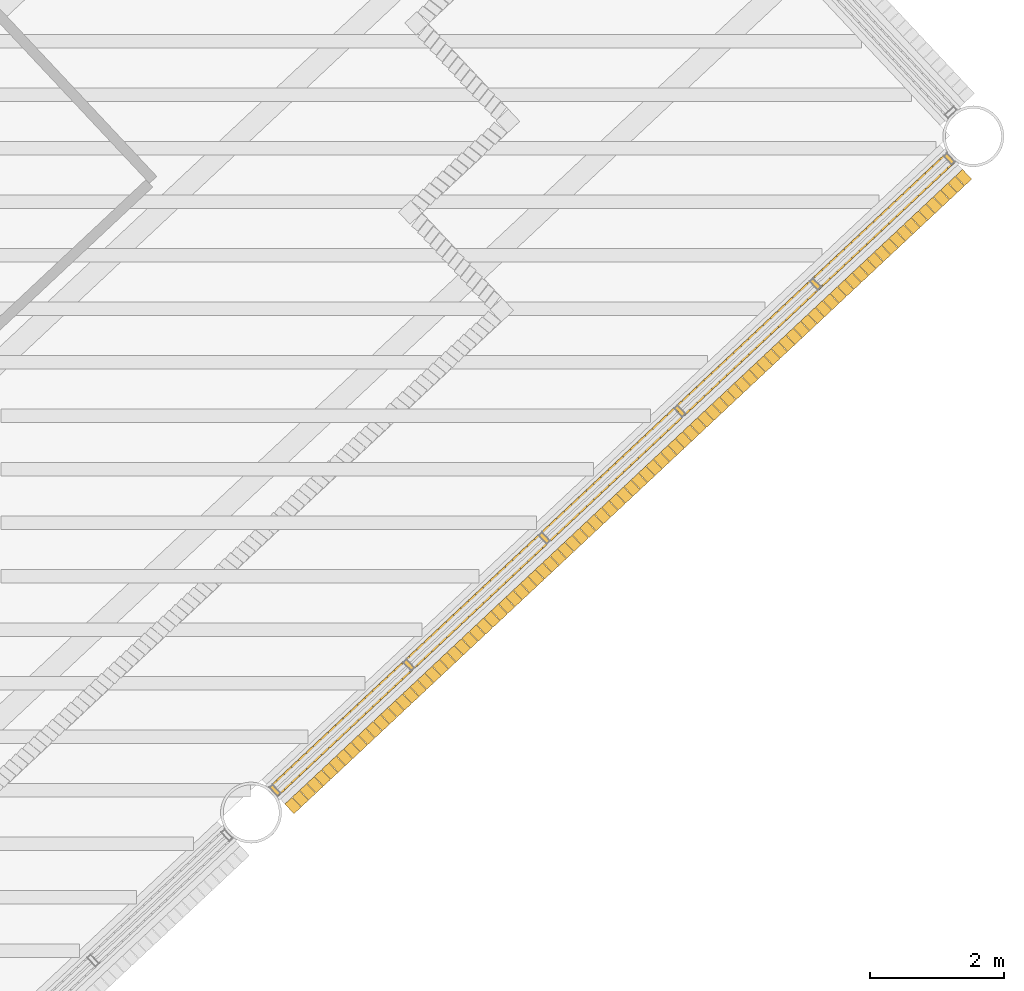
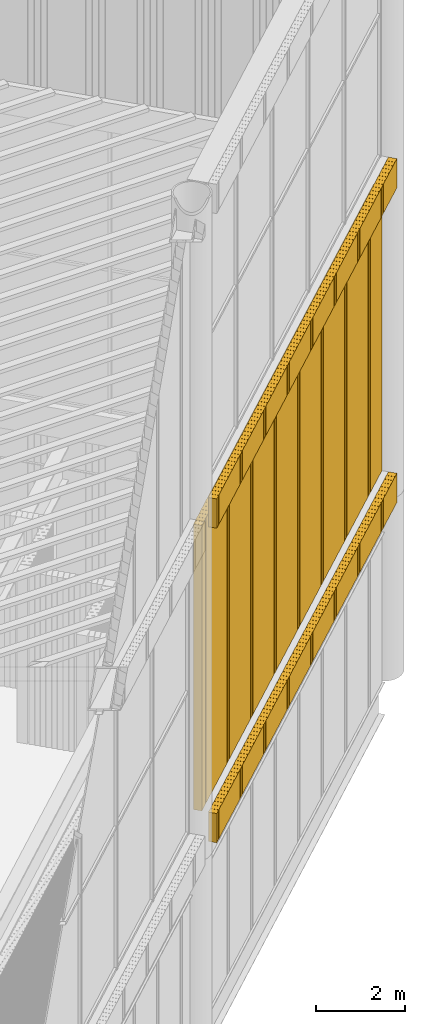
# One storey, part 109 of 117: 3 coverings.
"""IFC4 building model written with IfcOpenShell, lengths in metres."""

from ifc_helpers import new_model, si_unit, direction, frame, frame_2d, origin, place, context, subcontext, project, spatial, rectangle, composite_profile, extrude, material, type_object, element, save


model = new_model("IFC4")

# Units and contexts
model_context = context("Model", 3, precision=1e-05, world=origin(), true_north=direction((0.0, 1.0)))
body_context = subcontext(model_context, "Body", "Model", "MODEL_VIEW")
ifc_project = project(units=[si_unit("LENGTHUNIT", "METRE"), si_unit("AREAUNIT", "SQUARE_METRE"), si_unit("VOLUMEUNIT", "CUBIC_METRE"), si_unit("PLANEANGLEUNIT", "RADIAN"), si_unit("MASSUNIT", "GRAM", prefix="KILO")], contexts=[model_context])

# Site, building, storey
site_placement = place(None, origin())
site = spatial("IfcSite", under=ifc_project, at=site_placement, CompositionType="ELEMENT")
building_placement = place(site_placement, origin())
building = spatial("IfcBuilding", under=site, at=building_placement, Name="Tarsis Ring Headquarters", CompositionType="ELEMENT")
storey_placement = place(building_placement, frame((0.0, 0.0, 403.60009765625)))
storey = spatial("IfcBuildingStorey", under=building, at=storey_placement, Name="L95", CompositionType="ELEMENT", Elevation=403.60009765625)

# Coverings
ifc_material = material(Name="Terracotta louvre", Category="masonry")
covering_type = type_object("IfcCoveringType", Name="Crown louvre fin", PredefinedType="CLADDING", material=ifc_material)
covering_1_placement = place(storey_placement, frame((24.359619140625, -25.344482421875, 5.0), z_axis=(0.0, 0.0, 1.0), x_axis=(0.729925980625, 0.683527612216, 0.0)))
element("IfcCovering", 1, at=covering_1_placement, inside=storey, type_object=covering_type, Name="Crown louvre fascia R4", PredefinedType="CLADDING", context=body_context, shape_type="SweptSolid", body=[
    extrude(composite_profile([rectangle(XDim=0.14501953125, YDim=0.199951171875, at=frame_2d((0.072509765625, 0.0))), rectangle(XDim=0.14501953125, YDim=0.199951171875, at=frame_2d((0.223388671875, 0.0))), rectangle(XDim=0.14501953125, YDim=0.199951171875, at=frame_2d((0.37451171875, 0.0))), rectangle(XDim=0.14501953125, YDim=0.199951171875, at=frame_2d((0.525390625, 0.0))), rectangle(XDim=0.14501953125, YDim=0.199951171875, at=frame_2d((0.676513671875, 0.0))), rectangle(XDim=0.14501953125, YDim=0.199951171875, at=frame_2d((0.827392578125, 0.0))), rectangle(XDim=0.14501953125, YDim=0.199951171875, at=frame_2d((0.978515625, 0.0))), rectangle(XDim=0.14501953125, YDim=0.199951171875, at=frame_2d((1.12939453125, 0.0))), rectangle(XDim=0.14501953125, YDim=0.199951171875, at=frame_2d((1.280517578125, 0.0))), rectangle(XDim=0.14501953125, YDim=0.199951171875, at=frame_2d((1.431396484375, 0.0))), rectangle(XDim=0.14501953125, YDim=0.199951171875, at=frame_2d((1.58251953125, 0.0))), rectangle(XDim=0.14501953125, YDim=0.199951171875, at=frame_2d((1.7333984375, 0.0))), rectangle(XDim=0.14501953125, YDim=0.199951171875, at=frame_2d((1.884521484375, 0.0))), rectangle(XDim=0.14501953125, YDim=0.199951171875, at=frame_2d((2.035400390625, 0.0))), rectangle(XDim=0.14501953125, YDim=0.199951171875, at=frame_2d((2.1865234375, 0.0))), rectangle(XDim=0.14501953125, YDim=0.199951171875, at=frame_2d((2.33740234375, 0.0))), rectangle(XDim=0.14501953125, YDim=0.199951171875, at=frame_2d((2.488525390625, 0.0))), rectangle(XDim=0.14501953125, YDim=0.199951171875, at=frame_2d((2.639404296875, 0.0))), rectangle(XDim=0.14501953125, YDim=0.199951171875, at=frame_2d((2.79052734375, 0.0))), rectangle(XDim=0.14501953125, YDim=0.199951171875, at=frame_2d((2.94140625, 0.0))), rectangle(XDim=0.14501953125, YDim=0.199951171875, at=frame_2d((3.092529296875, 0.0))), rectangle(XDim=0.14501953125, YDim=0.199951171875, at=frame_2d((3.243408203125, 0.0))), rectangle(XDim=0.14501953125, YDim=0.199951171875, at=frame_2d((3.39453125, 0.0))), rectangle(XDim=0.14501953125, YDim=0.199951171875, at=frame_2d((3.54541015625, 0.0))), rectangle(XDim=0.14501953125, YDim=0.199951171875, at=frame_2d((3.696533203125, 0.0))), rectangle(XDim=0.14501953125, YDim=0.199951171875, at=frame_2d((3.847412109375, 0.0))), rectangle(XDim=0.14501953125, YDim=0.199951171875, at=frame_2d((3.99853515625, 0.0))), rectangle(XDim=0.14501953125, YDim=0.199951171875, at=frame_2d((4.1494140625, 0.0))), rectangle(XDim=0.14501953125, YDim=0.199951171875, at=frame_2d((4.300537109375, 0.0))), rectangle(XDim=0.14501953125, YDim=0.199951171875, at=frame_2d((4.451416015625, 0.0))), rectangle(XDim=0.14501953125, YDim=0.199951171875, at=frame_2d((4.6025390625, 0.0))), rectangle(XDim=0.14501953125, YDim=0.199951171875, at=frame_2d((4.75341796875, 0.0))), rectangle(XDim=0.14501953125, YDim=0.199951171875, at=frame_2d((4.904541015625, 0.0))), rectangle(XDim=0.14501953125, YDim=0.199951171875, at=frame_2d((5.055419921875, 0.0))), rectangle(XDim=0.14501953125, YDim=0.199951171875, at=frame_2d((5.20654296875, 0.0))), rectangle(XDim=0.14501953125, YDim=0.199951171875, at=frame_2d((5.357421875, 0.0))), rectangle(XDim=0.14501953125, YDim=0.199951171875, at=frame_2d((5.508544921875, 0.0))), rectangle(XDim=0.14501953125, YDim=0.199951171875, at=frame_2d((5.659423828125, 0.0))), rectangle(XDim=0.14501953125, YDim=0.199951171875, at=frame_2d((5.810546875, 0.0))), rectangle(XDim=0.14501953125, YDim=0.199951171875, at=frame_2d((5.96142578125, 0.0))), rectangle(XDim=0.14501953125, YDim=0.199951171875, at=frame_2d((6.112548828125, 0.0))), rectangle(XDim=0.14501953125, YDim=0.199951171875, at=frame_2d((6.263427734375, 0.0))), rectangle(XDim=0.14501953125, YDim=0.199951171875, at=frame_2d((6.41455078125, 0.0))), rectangle(XDim=0.14501953125, YDim=0.199951171875, at=frame_2d((6.5654296875, 0.0))), rectangle(XDim=0.14501953125, YDim=0.199951171875, at=frame_2d((6.716552734375, 0.0))), rectangle(XDim=0.14501953125, YDim=0.199951171875, at=frame_2d((6.867431640625, 0.0))), rectangle(XDim=0.14501953125, YDim=0.199951171875, at=frame_2d((7.0185546875, 0.0))), rectangle(XDim=0.14501953125, YDim=0.199951171875, at=frame_2d((7.16943359375, 0.0))), rectangle(XDim=0.14501953125, YDim=0.199951171875, at=frame_2d((7.320556640625, 0.0))), rectangle(XDim=0.14501953125, YDim=0.199951171875, at=frame_2d((7.471435546875, 0.0))), rectangle(XDim=0.14501953125, YDim=0.199951171875, at=frame_2d((7.62255859375, 0.0))), rectangle(XDim=0.14501953125, YDim=0.199951171875, at=frame_2d((7.7734375, 0.0))), rectangle(XDim=0.14501953125, YDim=0.199951171875, at=frame_2d((7.924560546875, 0.0))), rectangle(XDim=0.14501953125, YDim=0.199951171875, at=frame_2d((8.075439453125, 0.0))), rectangle(XDim=0.14501953125, YDim=0.199951171875, at=frame_2d((8.2265625, 0.0))), rectangle(XDim=0.14501953125, YDim=0.199951171875, at=frame_2d((8.37744140625, 0.0))), rectangle(XDim=0.14501953125, YDim=0.199951171875, at=frame_2d((8.528564453125, 0.0))), rectangle(XDim=0.14501953125, YDim=0.199951171875, at=frame_2d((8.679443359375, 0.0))), rectangle(XDim=0.14501953125, YDim=0.199951171875, at=frame_2d((8.83056640625, 0.0))), rectangle(XDim=0.14501953125, YDim=0.199951171875, at=frame_2d((8.9814453125, 0.0))), rectangle(XDim=0.14501953125, YDim=0.199951171875, at=frame_2d((9.132568359375, 0.0))), rectangle(XDim=0.14501953125, YDim=0.199951171875, at=frame_2d((9.283447265625, 0.0))), rectangle(XDim=0.14501953125, YDim=0.199951171875, at=frame_2d((9.4345703125, 0.0))), rectangle(XDim=0.14501953125, YDim=0.199951171875, at=frame_2d((9.58544921875, 0.0))), rectangle(XDim=0.14501953125, YDim=0.199951171875, at=frame_2d((9.736572265625, 0.0))), rectangle(XDim=0.14501953125, YDim=0.199951171875, at=frame_2d((9.887451171875, 0.0))), rectangle(XDim=0.14501953125, YDim=0.199951171875, at=frame_2d((10.03857421875, 0.0))), rectangle(XDim=0.14501953125, YDim=0.199951171875, at=frame_2d((10.189453125, 0.0))), rectangle(XDim=0.14501953125, YDim=0.199951171875, at=frame_2d((10.340576171875, 0.0))), rectangle(XDim=0.14501953125, YDim=0.199951171875, at=frame_2d((10.491455078125, 0.0))), rectangle(XDim=0.14501953125, YDim=0.199951171875, at=frame_2d((10.642578125, 0.0))), rectangle(XDim=0.14501953125, YDim=0.199951171875, at=frame_2d((10.79345703125, 0.0))), rectangle(XDim=0.14501953125, YDim=0.199951171875, at=frame_2d((10.944580078125, 0.0))), rectangle(XDim=0.14501953125, YDim=0.199951171875, at=frame_2d((11.095458984375, 0.0))), rectangle(XDim=0.14501953125, YDim=0.199951171875, at=frame_2d((11.24658203125, 0.0))), rectangle(XDim=0.14501953125, YDim=0.199951171875, at=frame_2d((11.3974609375, 0.0))), rectangle(XDim=0.14501953125, YDim=0.199951171875, at=frame_2d((11.548583984375, 0.0))), rectangle(XDim=0.14501953125, YDim=0.199951171875, at=frame_2d((11.699462890625, 0.0))), rectangle(XDim=0.14501953125, YDim=0.199951171875, at=frame_2d((11.8505859375, 0.0))), rectangle(XDim=0.14501953125, YDim=0.199951171875, at=frame_2d((12.00146484375, 0.0))), rectangle(XDim=0.14501953125, YDim=0.199951171875, at=frame_2d((12.152587890625, 0.0))), rectangle(XDim=0.14501953125, YDim=0.199951171875, at=frame_2d((12.303466796875, 0.0))), rectangle(XDim=0.14501953125, YDim=0.199951171875, at=frame_2d((12.45458984375, 0.0))), rectangle(XDim=0.14501953125, YDim=0.199951171875, at=frame_2d((12.60546875, 0.0))), rectangle(XDim=0.14501953125, YDim=0.199951171875, at=frame_2d((12.756591796875, 0.0))), rectangle(XDim=0.14501953125, YDim=0.199951171875, at=frame_2d((12.907470703125, 0.0))), rectangle(XDim=0.14501953125, YDim=0.199951171875, at=frame_2d((13.05859375, 0.0))), rectangle(XDim=0.14501953125, YDim=0.199951171875, at=frame_2d((13.20947265625, 0.0))), rectangle(XDim=0.14501953125, YDim=0.199951171875, at=frame_2d((13.360595703125, 0.0))), rectangle(XDim=0.14501953125, YDim=0.199951171875, at=frame_2d((13.511474609375, 0.0))), rectangle(XDim=0.14501953125, YDim=0.199951171875, at=frame_2d((13.66259765625, 0.0))), rectangle(XDim=0.14501953125, YDim=0.199951171875, at=frame_2d((13.8134765625, 0.0)))]), origin(), (0.0, 0.0, 1.0), 0.7998046875),
])
covering_2_placement = place(storey_placement, frame((24.359619140625, -25.344482421875, 13.599853515625), z_axis=(0.0, 0.0, 1.0), x_axis=(0.729925980625, 0.683527612216, 0.0)))
element("IfcCovering", 2, at=covering_2_placement, inside=storey, type_object=covering_type, Name="Crown louvre fascia M4", PredefinedType="CLADDING", context=body_context, shape_type="SweptSolid", body=[
    extrude(composite_profile([rectangle(XDim=0.14501953125, YDim=0.199951171875, at=frame_2d((0.072509765625, 0.0))), rectangle(XDim=0.14501953125, YDim=0.199951171875, at=frame_2d((0.223388671875, 0.0))), rectangle(XDim=0.14501953125, YDim=0.199951171875, at=frame_2d((0.37451171875, 0.0))), rectangle(XDim=0.14501953125, YDim=0.199951171875, at=frame_2d((0.525390625, 0.0))), rectangle(XDim=0.14501953125, YDim=0.199951171875, at=frame_2d((0.676513671875, 0.0))), rectangle(XDim=0.14501953125, YDim=0.199951171875, at=frame_2d((0.827392578125, 0.0))), rectangle(XDim=0.14501953125, YDim=0.199951171875, at=frame_2d((0.978515625, 0.0))), rectangle(XDim=0.14501953125, YDim=0.199951171875, at=frame_2d((1.12939453125, 0.0))), rectangle(XDim=0.14501953125, YDim=0.199951171875, at=frame_2d((1.280517578125, 0.0))), rectangle(XDim=0.14501953125, YDim=0.199951171875, at=frame_2d((1.431396484375, 0.0))), rectangle(XDim=0.14501953125, YDim=0.199951171875, at=frame_2d((1.58251953125, 0.0))), rectangle(XDim=0.14501953125, YDim=0.199951171875, at=frame_2d((1.7333984375, 0.0))), rectangle(XDim=0.14501953125, YDim=0.199951171875, at=frame_2d((1.884521484375, 0.0))), rectangle(XDim=0.14501953125, YDim=0.199951171875, at=frame_2d((2.035400390625, 0.0))), rectangle(XDim=0.14501953125, YDim=0.199951171875, at=frame_2d((2.1865234375, 0.0))), rectangle(XDim=0.14501953125, YDim=0.199951171875, at=frame_2d((2.33740234375, 0.0))), rectangle(XDim=0.14501953125, YDim=0.199951171875, at=frame_2d((2.488525390625, 0.0))), rectangle(XDim=0.14501953125, YDim=0.199951171875, at=frame_2d((2.639404296875, 0.0))), rectangle(XDim=0.14501953125, YDim=0.199951171875, at=frame_2d((2.79052734375, 0.0))), rectangle(XDim=0.14501953125, YDim=0.199951171875, at=frame_2d((2.94140625, 0.0))), rectangle(XDim=0.14501953125, YDim=0.199951171875, at=frame_2d((3.092529296875, 0.0))), rectangle(XDim=0.14501953125, YDim=0.199951171875, at=frame_2d((3.243408203125, 0.0))), rectangle(XDim=0.14501953125, YDim=0.199951171875, at=frame_2d((3.39453125, 0.0))), rectangle(XDim=0.14501953125, YDim=0.199951171875, at=frame_2d((3.54541015625, 0.0))), rectangle(XDim=0.14501953125, YDim=0.199951171875, at=frame_2d((3.696533203125, 0.0))), rectangle(XDim=0.14501953125, YDim=0.199951171875, at=frame_2d((3.847412109375, 0.0))), rectangle(XDim=0.14501953125, YDim=0.199951171875, at=frame_2d((3.99853515625, 0.0))), rectangle(XDim=0.14501953125, YDim=0.199951171875, at=frame_2d((4.1494140625, 0.0))), rectangle(XDim=0.14501953125, YDim=0.199951171875, at=frame_2d((4.300537109375, 0.0))), rectangle(XDim=0.14501953125, YDim=0.199951171875, at=frame_2d((4.451416015625, 0.0))), rectangle(XDim=0.14501953125, YDim=0.199951171875, at=frame_2d((4.6025390625, 0.0))), rectangle(XDim=0.14501953125, YDim=0.199951171875, at=frame_2d((4.75341796875, 0.0))), rectangle(XDim=0.14501953125, YDim=0.199951171875, at=frame_2d((4.904541015625, 0.0))), rectangle(XDim=0.14501953125, YDim=0.199951171875, at=frame_2d((5.055419921875, 0.0))), rectangle(XDim=0.14501953125, YDim=0.199951171875, at=frame_2d((5.20654296875, 0.0))), rectangle(XDim=0.14501953125, YDim=0.199951171875, at=frame_2d((5.357421875, 0.0))), rectangle(XDim=0.14501953125, YDim=0.199951171875, at=frame_2d((5.508544921875, 0.0))), rectangle(XDim=0.14501953125, YDim=0.199951171875, at=frame_2d((5.659423828125, 0.0))), rectangle(XDim=0.14501953125, YDim=0.199951171875, at=frame_2d((5.810546875, 0.0))), rectangle(XDim=0.14501953125, YDim=0.199951171875, at=frame_2d((5.96142578125, 0.0))), rectangle(XDim=0.14501953125, YDim=0.199951171875, at=frame_2d((6.112548828125, 0.0))), rectangle(XDim=0.14501953125, YDim=0.199951171875, at=frame_2d((6.263427734375, 0.0))), rectangle(XDim=0.14501953125, YDim=0.199951171875, at=frame_2d((6.41455078125, 0.0))), rectangle(XDim=0.14501953125, YDim=0.199951171875, at=frame_2d((6.5654296875, 0.0))), rectangle(XDim=0.14501953125, YDim=0.199951171875, at=frame_2d((6.716552734375, 0.0))), rectangle(XDim=0.14501953125, YDim=0.199951171875, at=frame_2d((6.867431640625, 0.0))), rectangle(XDim=0.14501953125, YDim=0.199951171875, at=frame_2d((7.0185546875, 0.0))), rectangle(XDim=0.14501953125, YDim=0.199951171875, at=frame_2d((7.16943359375, 0.0))), rectangle(XDim=0.14501953125, YDim=0.199951171875, at=frame_2d((7.320556640625, 0.0))), rectangle(XDim=0.14501953125, YDim=0.199951171875, at=frame_2d((7.471435546875, 0.0))), rectangle(XDim=0.14501953125, YDim=0.199951171875, at=frame_2d((7.62255859375, 0.0))), rectangle(XDim=0.14501953125, YDim=0.199951171875, at=frame_2d((7.7734375, 0.0))), rectangle(XDim=0.14501953125, YDim=0.199951171875, at=frame_2d((7.924560546875, 0.0))), rectangle(XDim=0.14501953125, YDim=0.199951171875, at=frame_2d((8.075439453125, 0.0))), rectangle(XDim=0.14501953125, YDim=0.199951171875, at=frame_2d((8.2265625, 0.0))), rectangle(XDim=0.14501953125, YDim=0.199951171875, at=frame_2d((8.37744140625, 0.0))), rectangle(XDim=0.14501953125, YDim=0.199951171875, at=frame_2d((8.528564453125, 0.0))), rectangle(XDim=0.14501953125, YDim=0.199951171875, at=frame_2d((8.679443359375, 0.0))), rectangle(XDim=0.14501953125, YDim=0.199951171875, at=frame_2d((8.83056640625, 0.0))), rectangle(XDim=0.14501953125, YDim=0.199951171875, at=frame_2d((8.9814453125, 0.0))), rectangle(XDim=0.14501953125, YDim=0.199951171875, at=frame_2d((9.132568359375, 0.0))), rectangle(XDim=0.14501953125, YDim=0.199951171875, at=frame_2d((9.283447265625, 0.0))), rectangle(XDim=0.14501953125, YDim=0.199951171875, at=frame_2d((9.4345703125, 0.0))), rectangle(XDim=0.14501953125, YDim=0.199951171875, at=frame_2d((9.58544921875, 0.0))), rectangle(XDim=0.14501953125, YDim=0.199951171875, at=frame_2d((9.736572265625, 0.0))), rectangle(XDim=0.14501953125, YDim=0.199951171875, at=frame_2d((9.887451171875, 0.0))), rectangle(XDim=0.14501953125, YDim=0.199951171875, at=frame_2d((10.03857421875, 0.0))), rectangle(XDim=0.14501953125, YDim=0.199951171875, at=frame_2d((10.189453125, 0.0))), rectangle(XDim=0.14501953125, YDim=0.199951171875, at=frame_2d((10.340576171875, 0.0))), rectangle(XDim=0.14501953125, YDim=0.199951171875, at=frame_2d((10.491455078125, 0.0))), rectangle(XDim=0.14501953125, YDim=0.199951171875, at=frame_2d((10.642578125, 0.0))), rectangle(XDim=0.14501953125, YDim=0.199951171875, at=frame_2d((10.79345703125, 0.0))), rectangle(XDim=0.14501953125, YDim=0.199951171875, at=frame_2d((10.944580078125, 0.0))), rectangle(XDim=0.14501953125, YDim=0.199951171875, at=frame_2d((11.095458984375, 0.0))), rectangle(XDim=0.14501953125, YDim=0.199951171875, at=frame_2d((11.24658203125, 0.0))), rectangle(XDim=0.14501953125, YDim=0.199951171875, at=frame_2d((11.3974609375, 0.0))), rectangle(XDim=0.14501953125, YDim=0.199951171875, at=frame_2d((11.548583984375, 0.0))), rectangle(XDim=0.14501953125, YDim=0.199951171875, at=frame_2d((11.699462890625, 0.0))), rectangle(XDim=0.14501953125, YDim=0.199951171875, at=frame_2d((11.8505859375, 0.0))), rectangle(XDim=0.14501953125, YDim=0.199951171875, at=frame_2d((12.00146484375, 0.0))), rectangle(XDim=0.14501953125, YDim=0.199951171875, at=frame_2d((12.152587890625, 0.0))), rectangle(XDim=0.14501953125, YDim=0.199951171875, at=frame_2d((12.303466796875, 0.0))), rectangle(XDim=0.14501953125, YDim=0.199951171875, at=frame_2d((12.45458984375, 0.0))), rectangle(XDim=0.14501953125, YDim=0.199951171875, at=frame_2d((12.60546875, 0.0))), rectangle(XDim=0.14501953125, YDim=0.199951171875, at=frame_2d((12.756591796875, 0.0))), rectangle(XDim=0.14501953125, YDim=0.199951171875, at=frame_2d((12.907470703125, 0.0))), rectangle(XDim=0.14501953125, YDim=0.199951171875, at=frame_2d((13.05859375, 0.0))), rectangle(XDim=0.14501953125, YDim=0.199951171875, at=frame_2d((13.20947265625, 0.0))), rectangle(XDim=0.14501953125, YDim=0.199951171875, at=frame_2d((13.360595703125, 0.0))), rectangle(XDim=0.14501953125, YDim=0.199951171875, at=frame_2d((13.511474609375, 0.0))), rectangle(XDim=0.14501953125, YDim=0.199951171875, at=frame_2d((13.66259765625, 0.0))), rectangle(XDim=0.14501953125, YDim=0.199951171875, at=frame_2d((13.8134765625, 0.0)))]), origin(), (0.0, 0.0, 1.0), 0.800048828125),
])
covering_3_placement = place(storey_placement, frame((24.120361328125, -25.0888671875, 5.7998046875), z_axis=(0.0, 0.0, 1.0), x_axis=(0.729925980625, 0.683527612216, 0.0)))
element("IfcCovering", 3, at=covering_3_placement, inside=storey, type_object=covering_type, Name="Crown louvre L4", PredefinedType="CLADDING", context=body_context, shape_type="SweptSolid", body=[
    extrude(composite_profile([rectangle(XDim=0.14501953125, YDim=0.199951171875, at=frame_2d((0.072509765625, 0.0))), rectangle(XDim=0.14501953125, YDim=0.199951171875, at=frame_2d((0.223388671875, 0.0))), rectangle(XDim=0.14501953125, YDim=0.199951171875, at=frame_2d((0.37451171875, 0.0))), rectangle(XDim=0.14501953125, YDim=0.199951171875, at=frame_2d((0.525390625, 0.0))), rectangle(XDim=0.14501953125, YDim=0.199951171875, at=frame_2d((0.676513671875, 0.0))), rectangle(XDim=0.14501953125, YDim=0.199951171875, at=frame_2d((0.827392578125, 0.0))), rectangle(XDim=0.14501953125, YDim=0.199951171875, at=frame_2d((0.978515625, 0.0))), rectangle(XDim=0.14501953125, YDim=0.199951171875, at=frame_2d((1.12939453125, 0.0))), rectangle(XDim=0.14501953125, YDim=0.199951171875, at=frame_2d((1.280517578125, 0.0))), rectangle(XDim=0.14501953125, YDim=0.199951171875, at=frame_2d((1.431396484375, 0.0))), rectangle(XDim=0.14501953125, YDim=0.199951171875, at=frame_2d((1.58251953125, 0.0))), rectangle(XDim=0.14501953125, YDim=0.199951171875, at=frame_2d((1.7333984375, 0.0))), rectangle(XDim=0.14501953125, YDim=0.199951171875, at=frame_2d((1.884521484375, 0.0))), rectangle(XDim=0.14501953125, YDim=0.199951171875, at=frame_2d((2.035400390625, 0.0))), rectangle(XDim=0.14501953125, YDim=0.199951171875, at=frame_2d((2.1865234375, 0.0))), rectangle(XDim=0.14501953125, YDim=0.199951171875, at=frame_2d((2.33740234375, 0.0))), rectangle(XDim=0.14501953125, YDim=0.199951171875, at=frame_2d((2.488525390625, 0.0))), rectangle(XDim=0.14501953125, YDim=0.199951171875, at=frame_2d((2.639404296875, 0.0))), rectangle(XDim=0.14501953125, YDim=0.199951171875, at=frame_2d((2.79052734375, 0.0))), rectangle(XDim=0.14501953125, YDim=0.199951171875, at=frame_2d((2.94140625, 0.0))), rectangle(XDim=0.14501953125, YDim=0.199951171875, at=frame_2d((3.092529296875, 0.0))), rectangle(XDim=0.14501953125, YDim=0.199951171875, at=frame_2d((3.243408203125, 0.0))), rectangle(XDim=0.14501953125, YDim=0.199951171875, at=frame_2d((3.39453125, 0.0))), rectangle(XDim=0.14501953125, YDim=0.199951171875, at=frame_2d((3.54541015625, 0.0))), rectangle(XDim=0.14501953125, YDim=0.199951171875, at=frame_2d((3.696533203125, 0.0))), rectangle(XDim=0.14501953125, YDim=0.199951171875, at=frame_2d((3.847412109375, 0.0))), rectangle(XDim=0.14501953125, YDim=0.199951171875, at=frame_2d((3.99853515625, 0.0))), rectangle(XDim=0.14501953125, YDim=0.199951171875, at=frame_2d((4.1494140625, 0.0))), rectangle(XDim=0.14501953125, YDim=0.199951171875, at=frame_2d((4.300537109375, 0.0))), rectangle(XDim=0.14501953125, YDim=0.199951171875, at=frame_2d((4.451416015625, 0.0))), rectangle(XDim=0.14501953125, YDim=0.199951171875, at=frame_2d((4.6025390625, 0.0))), rectangle(XDim=0.14501953125, YDim=0.199951171875, at=frame_2d((4.75341796875, 0.0))), rectangle(XDim=0.14501953125, YDim=0.199951171875, at=frame_2d((4.904541015625, 0.0))), rectangle(XDim=0.14501953125, YDim=0.199951171875, at=frame_2d((5.055419921875, 0.0))), rectangle(XDim=0.14501953125, YDim=0.199951171875, at=frame_2d((5.20654296875, 0.0))), rectangle(XDim=0.14501953125, YDim=0.199951171875, at=frame_2d((5.357421875, 0.0))), rectangle(XDim=0.14501953125, YDim=0.199951171875, at=frame_2d((5.508544921875, 0.0))), rectangle(XDim=0.14501953125, YDim=0.199951171875, at=frame_2d((5.659423828125, 0.0))), rectangle(XDim=0.14501953125, YDim=0.199951171875, at=frame_2d((5.810546875, 0.0))), rectangle(XDim=0.14501953125, YDim=0.199951171875, at=frame_2d((5.96142578125, 0.0))), rectangle(XDim=0.14501953125, YDim=0.199951171875, at=frame_2d((6.112548828125, 0.0))), rectangle(XDim=0.14501953125, YDim=0.199951171875, at=frame_2d((6.263427734375, 0.0))), rectangle(XDim=0.14501953125, YDim=0.199951171875, at=frame_2d((6.41455078125, 0.0))), rectangle(XDim=0.14501953125, YDim=0.199951171875, at=frame_2d((6.5654296875, 0.0))), rectangle(XDim=0.14501953125, YDim=0.199951171875, at=frame_2d((6.716552734375, 0.0))), rectangle(XDim=0.14501953125, YDim=0.199951171875, at=frame_2d((6.867431640625, 0.0))), rectangle(XDim=0.14501953125, YDim=0.199951171875, at=frame_2d((7.0185546875, 0.0))), rectangle(XDim=0.14501953125, YDim=0.199951171875, at=frame_2d((7.16943359375, 0.0))), rectangle(XDim=0.14501953125, YDim=0.199951171875, at=frame_2d((7.320556640625, 0.0))), rectangle(XDim=0.14501953125, YDim=0.199951171875, at=frame_2d((7.471435546875, 0.0))), rectangle(XDim=0.14501953125, YDim=0.199951171875, at=frame_2d((7.62255859375, 0.0))), rectangle(XDim=0.14501953125, YDim=0.199951171875, at=frame_2d((7.7734375, 0.0))), rectangle(XDim=0.14501953125, YDim=0.199951171875, at=frame_2d((7.924560546875, 0.0))), rectangle(XDim=0.14501953125, YDim=0.199951171875, at=frame_2d((8.075439453125, 0.0))), rectangle(XDim=0.14501953125, YDim=0.199951171875, at=frame_2d((8.2265625, 0.0))), rectangle(XDim=0.14501953125, YDim=0.199951171875, at=frame_2d((8.37744140625, 0.0))), rectangle(XDim=0.14501953125, YDim=0.199951171875, at=frame_2d((8.528564453125, 0.0))), rectangle(XDim=0.14501953125, YDim=0.199951171875, at=frame_2d((8.679443359375, 0.0))), rectangle(XDim=0.14501953125, YDim=0.199951171875, at=frame_2d((8.83056640625, 0.0))), rectangle(XDim=0.14501953125, YDim=0.199951171875, at=frame_2d((8.9814453125, 0.0))), rectangle(XDim=0.14501953125, YDim=0.199951171875, at=frame_2d((9.132568359375, 0.0))), rectangle(XDim=0.14501953125, YDim=0.199951171875, at=frame_2d((9.283447265625, 0.0))), rectangle(XDim=0.14501953125, YDim=0.199951171875, at=frame_2d((9.4345703125, 0.0))), rectangle(XDim=0.14501953125, YDim=0.199951171875, at=frame_2d((9.58544921875, 0.0))), rectangle(XDim=0.14501953125, YDim=0.199951171875, at=frame_2d((9.736572265625, 0.0))), rectangle(XDim=0.14501953125, YDim=0.199951171875, at=frame_2d((9.887451171875, 0.0))), rectangle(XDim=0.14501953125, YDim=0.199951171875, at=frame_2d((10.03857421875, 0.0))), rectangle(XDim=0.14501953125, YDim=0.199951171875, at=frame_2d((10.189453125, 0.0))), rectangle(XDim=0.14501953125, YDim=0.199951171875, at=frame_2d((10.340576171875, 0.0))), rectangle(XDim=0.14501953125, YDim=0.199951171875, at=frame_2d((10.491455078125, 0.0))), rectangle(XDim=0.14501953125, YDim=0.199951171875, at=frame_2d((10.642578125, 0.0))), rectangle(XDim=0.14501953125, YDim=0.199951171875, at=frame_2d((10.79345703125, 0.0))), rectangle(XDim=0.14501953125, YDim=0.199951171875, at=frame_2d((10.944580078125, 0.0))), rectangle(XDim=0.14501953125, YDim=0.199951171875, at=frame_2d((11.095458984375, 0.0))), rectangle(XDim=0.14501953125, YDim=0.199951171875, at=frame_2d((11.24658203125, 0.0))), rectangle(XDim=0.14501953125, YDim=0.199951171875, at=frame_2d((11.3974609375, 0.0))), rectangle(XDim=0.14501953125, YDim=0.199951171875, at=frame_2d((11.548583984375, 0.0))), rectangle(XDim=0.14501953125, YDim=0.199951171875, at=frame_2d((11.699462890625, 0.0))), rectangle(XDim=0.14501953125, YDim=0.199951171875, at=frame_2d((11.8505859375, 0.0))), rectangle(XDim=0.14501953125, YDim=0.199951171875, at=frame_2d((12.00146484375, 0.0))), rectangle(XDim=0.14501953125, YDim=0.199951171875, at=frame_2d((12.152587890625, 0.0))), rectangle(XDim=0.14501953125, YDim=0.199951171875, at=frame_2d((12.303466796875, 0.0))), rectangle(XDim=0.14501953125, YDim=0.199951171875, at=frame_2d((12.45458984375, 0.0))), rectangle(XDim=0.14501953125, YDim=0.199951171875, at=frame_2d((12.60546875, 0.0))), rectangle(XDim=0.14501953125, YDim=0.199951171875, at=frame_2d((12.756591796875, 0.0))), rectangle(XDim=0.14501953125, YDim=0.199951171875, at=frame_2d((12.907470703125, 0.0))), rectangle(XDim=0.14501953125, YDim=0.199951171875, at=frame_2d((13.05859375, 0.0))), rectangle(XDim=0.14501953125, YDim=0.199951171875, at=frame_2d((13.20947265625, 0.0))), rectangle(XDim=0.14501953125, YDim=0.199951171875, at=frame_2d((13.360595703125, 0.0))), rectangle(XDim=0.14501953125, YDim=0.199951171875, at=frame_2d((13.511474609375, 0.0))), rectangle(XDim=0.14501953125, YDim=0.199951171875, at=frame_2d((13.66259765625, 0.0))), rectangle(XDim=0.14501953125, YDim=0.199951171875, at=frame_2d((13.8134765625, 0.0)))]), origin(), (0.0, 0.0, 1.0), 7.800048828125),
])

save(model, "model.ifc")
